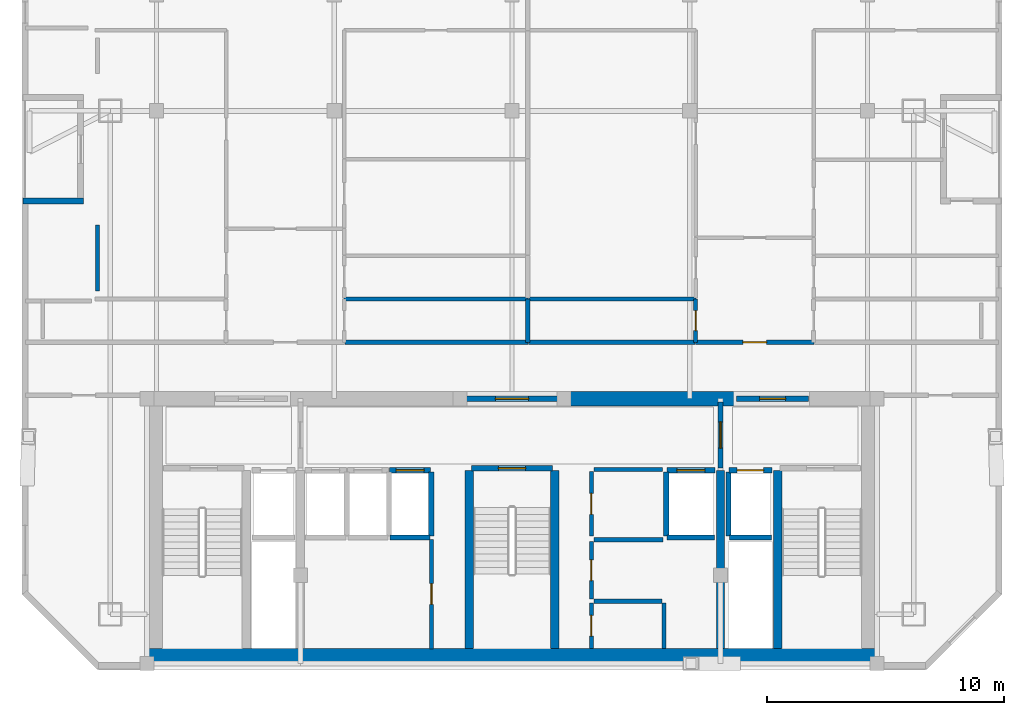
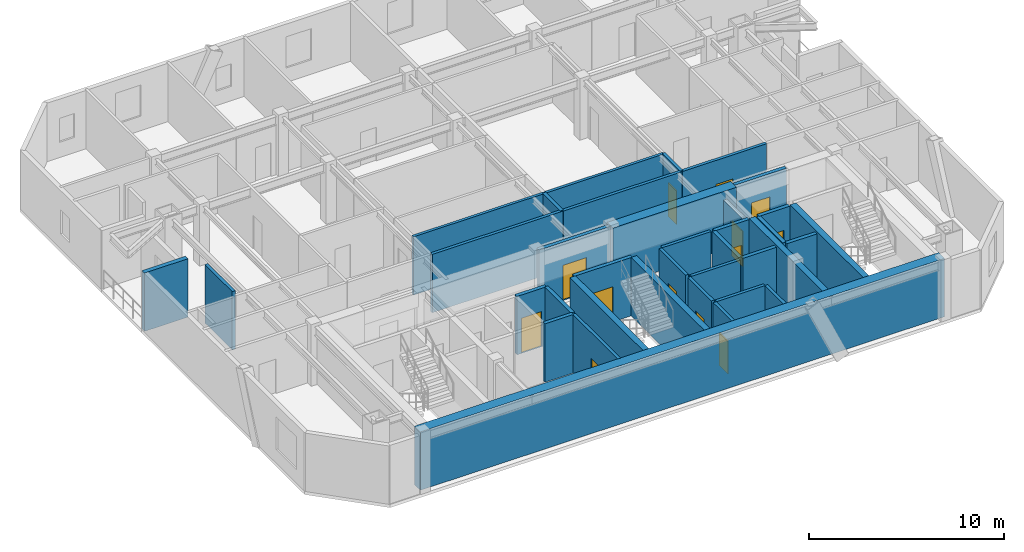
# One storey, part 3 of 7: 36 walls, 13 doors, 13 openings.
"""IFC4 building model written with IfcOpenShell, lengths in metres."""

from ifc_helpers import new_model, si_unit, direction, frame, frame_2d, origin, place, context, subcontext, project, spatial, rectangle, extrude, material, layer, layer_set, type_object, element, fill, save


model = new_model("IFC4")

# Units and contexts
model_context = context("Model", 3, precision=1e-05, world=origin(), true_north=direction((0.0, 1.0)))
body_context = subcontext(model_context, "Body", "Model", "MODEL_VIEW")
ifc_project = project(units=[si_unit("LENGTHUNIT", "METRE"), si_unit("AREAUNIT", "SQUARE_METRE"), si_unit("VOLUMEUNIT", "CUBIC_METRE"), si_unit("PLANEANGLEUNIT", "RADIAN"), si_unit("MASSUNIT", "GRAM", prefix="KILO")], contexts=[model_context])

# Site, building, storey
site_placement = place(None, origin())
site = spatial("IfcSite", under=ifc_project, at=site_placement, CompositionType="ELEMENT")
building_placement = place(site_placement, origin())
building = spatial("IfcBuilding", under=site, at=building_placement, Name="Ventersveld Concourse Tower", CompositionType="ELEMENT")
storey_placement = place(building_placement, frame((0.0, 0.0, 264.449951171875)))
storey = spatial("IfcBuildingStorey", under=building, at=storey_placement, Name="L65", CompositionType="ELEMENT", Elevation=264.449951171875)

# Walls
ifc_material_1 = material(Name="Concrete C50/60", Category="concrete")
ifc_layer_1 = layer(ifc_material_1, 0.35009765625)
ifc_layer_set_1 = layer_set([ifc_layer_1], Name="Concrete C50/60")
wall_type_1 = type_object("IfcWallType", Name="WL-CORE-350U", PredefinedType="SHEAR", material=ifc_layer_set_1)
for number, where, z_axis, x_axis, name in (
    (1, (26.93994140625, 0.919921875, 0.0), (0.0, 0.0, 1.0), (0.0, 1.0, 0.0), "L65 Core Internal Shear Web W-ST3-W"),
    (2, (30.56005859375, 0.919921875, 0.0), (0.0, 0.0, 1.0), (0.0, 1.0, 0.0), "L65 Core Internal Shear Web W-ST3-E"),
    (3, (37.550048828125, 0.919921875, 0.0), (0.0, 0.0, 1.0), (0.0, 1.0, 0.0), "L65 Core Internal Shear Web W-SVL-W"),
    (4, (39.9599609375, 0.919921875, 0.0), (0.0, 0.0, 1.0), (0.0, 1.0, 0.0), "L65 Core Internal Shear Web W-ST2-W"),
):
    element("IfcWall", number, at=place(storey_placement, frame(where, z_axis=z_axis, x_axis=x_axis)), inside=storey, type_object=wall_type_1, Name=name, PredefinedType="SHEAR", context=body_context, shape_type="SweptSolid", body=[
        extrude(rectangle(XDim=7.5, YDim=0.35009765625, at=frame_2d((3.75, 0.0))), origin(), (0.0, 0.0, 1.0), 3.650146484375),
    ])
ifc_layer_2 = layer(ifc_material_1, 0.60009765625)
ifc_layer_set_2 = layer_set([ifc_layer_2], Name="Concrete C50/60")
wall_type_2 = type_object("IfcWallType", Name="WL-CORE-600", PredefinedType="SHEAR", material=ifc_layer_set_2)
wall_1_placement = place(storey_placement, frame((13.25, 0.6201171875, 0.0), z_axis=(0.0, 0.0, 1.0), x_axis=(1.0, 0.0, 0.0)))
element("IfcWall", 5, at=wall_1_placement, inside=storey, type_object=wall_type_2, Name="L65 Rear Core South Shear Wall", PredefinedType="SHEAR", context=body_context, shape_type="SweptSolid", body=[
    extrude(rectangle(XDim=31.0, YDim=0.60009765625, at=frame_2d((15.5, 0.0))), origin(), (0.0, 0.0, 1.0), 3.650146484375),
])
wall_2_placement = place(storey_placement, frame((30.89990234375, 11.449951171875, 0.0), z_axis=(0.0, 0.0, 1.0), x_axis=(1.0, 0.0, 0.0)))
element("IfcWall", 6, at=wall_2_placement, inside=storey, type_object=wall_type_2, Name="L65 Rear Core North Shear Wall NMR", PredefinedType="SHEAR", context=body_context, shape_type="SweptSolid", body=[
    extrude(rectangle(XDim=7.300048828125, YDim=0.60009765625, at=frame_2d((3.64990234375, 0.0))), origin(), (0.0, 0.0, 1.0), 3.650146484375),
])

# Wall, opening, door
ifc_material_2 = material(Name="Fire-rated autoclaved aerated masonry blockwork", Category="masonry")
ifc_layer_3 = layer(ifc_material_2, 0.179931640625)
ifc_layer_set_3 = layer_set([ifc_layer_3], Name="Fire-rated autoclaved aerated masonry blockwork")
wall_type_3 = type_object("IfcWallType", Name="WL-CORR-180", PredefinedType="PARTITIONING", material=ifc_layer_set_3)
wall_3_placement = place(storey_placement, frame((25.35009765625, 0.89990234375, 0.0), z_axis=(0.0, 0.0, 1.0), x_axis=(0.0, 1.0, 0.0)))
wall_3 = element("IfcWall", 7, at=wall_3_placement, inside=storey, type_object=wall_type_3, Name="L65 Core Passage Wall SP-L65-RECB1A", PredefinedType="PARTITIONING", context=body_context, shape_type="SweptSolid", body=[
    extrude(rectangle(XDim=4.6201171875, YDim=0.179931640625, at=frame_2d((2.31005859375, 0.0))), origin(), (0.0, 0.0, 1.0), 3.650146484375),
])
opening_1_placement = place(wall_3_placement, frame((1.8701171875, 0.0, 0.0)))
opening_1 = element("IfcOpeningElement", 8, at=opening_1_placement, cuts=wall_3, Name="Opening FD5", PredefinedType="OPENING", context=body_context, shape_type="SweptSolid", body=[
    extrude(rectangle(XDim=0.8798828125, YDim=2.050048828125, at=frame_2d((0.43994140625, 1.02490234375))), frame((0.0, 0.10009765625, 0.0), z_axis=(0.0, -1.0, 0.0), x_axis=(1.0, 0.0, 0.0)), (0.0, 0.0, 1.0), 0.199951171875),
])
ifc_material_3 = material(Name="Galvanised painted steel", Category="steel")
door_type_1 = type_object("IfcDoorType", Name="DR-RISER-088", OperationType="NOTDEFINED", PredefinedType="DOOR", material=ifc_material_3)
door_1_placement = place(opening_1_placement, origin())
door_1 = element("IfcDoor", 9, at=door_1_placement, inside=storey, type_object=door_type_1, Name="L65 Core Room Door L65 Reclaimed Core Meeting Pod (CD-L65-3058)", OperationType="SINGLE_SWING_LEFT", OverallHeight=2.050048828125, OverallWidth=0.8798828125, PredefinedType="DOOR", context=body_context, shape_type="SweptSolid", body=[
    extrude(rectangle(XDim=0.8798828125, YDim=2.050048828125, at=frame_2d((0.43994140625, 1.02490234375))), frame((0.0, 0.02490234375, 0.0), z_axis=(0.0, -1.0, 0.0), x_axis=(1.0, 0.0, 0.0)), (0.0, 0.0, 1.0), 0.050048828125),
])
fill(opening_1, door_1)

wall_4_placement = place(storey_placement, frame((32.10009765625, 0.919921875, 0.0), z_axis=(0.0, 0.0, 1.0), x_axis=(0.0, 1.0, 0.0)))
wall_4 = element("IfcWall", 10, at=wall_4_placement, inside=storey, type_object=wall_type_3, Name="L65 Core Passage Wall SP-L65-RECB2S", PredefinedType="PARTITIONING", context=body_context, shape_type="SweptSolid", body=[
    extrude(rectangle(XDim=1.900146484375, YDim=0.179931640625, at=frame_2d((0.9501953125, 0.0))), origin(), (0.0, 0.0, 1.0), 3.650146484375),
])
opening_2_placement = place(wall_4_placement, frame((0.510009765625, 0.0, 0.0)))
opening_2 = element("IfcOpeningElement", 11, at=opening_2_placement, cuts=wall_4, Name="Opening FD5", PredefinedType="OPENING", context=body_context, shape_type="SweptSolid", body=[
    extrude(rectangle(XDim=0.8798828125, YDim=2.050048828125, at=frame_2d((0.43994140625, 1.02490234375))), frame((0.0, 0.10009765625, 0.0), z_axis=(0.0, -1.0, 0.0), x_axis=(1.0, 0.0, 0.0)), (0.0, 0.0, 1.0), 0.199951171875),
])
door_2_placement = place(opening_2_placement, origin())
door_2 = element("IfcDoor", 12, at=door_2_placement, inside=storey, type_object=door_type_1, Name="L65 Core Room Door L65 Reclaimed Core Archive Store (CD-L65-3059)", OperationType="SINGLE_SWING_RIGHT", OverallHeight=2.050048828125, OverallWidth=0.8798828125, PredefinedType="DOOR", context=body_context, shape_type="SweptSolid", body=[
    extrude(rectangle(XDim=0.8798828125, YDim=2.050048828125, at=frame_2d((0.43994140625, 1.02490234375))), frame((0.0, 0.02490234375, 0.0), z_axis=(0.0, -1.0, 0.0), x_axis=(1.0, 0.0, 0.0)), (0.0, 0.0, 1.0), 0.050048828125),
])
fill(opening_2, door_2)

# Walls
wall_5_placement = place(storey_placement, frame((32.219970703125, 2.89990234375, 0.0), z_axis=(0.0, 0.0, 1.0), x_axis=(1.0, 0.0, 0.0)))
element("IfcWall", 13, at=wall_5_placement, inside=storey, type_object=wall_type_3, Name="L65 Core Top Wall SP-L65-RECB2S", PredefinedType="PARTITIONING", context=body_context, shape_type="SweptSolid", body=[
    extrude(rectangle(XDim=2.860107421875, YDim=0.179931640625, at=frame_2d((1.43017578125, 0.0))), origin(), (0.0, 0.0, 1.0), 3.650146484375),
])
wall_6_placement = place(storey_placement, frame((35.159912109375, 0.919921875, 0.0), z_axis=(0.0, 0.0, 1.0), x_axis=(0.0, 1.0, 0.0)))
element("IfcWall", 14, at=wall_6_placement, inside=storey, type_object=wall_type_3, Name="L65 Core East Wall SP-L65-RECB2S", PredefinedType="PARTITIONING", context=body_context, shape_type="SweptSolid", body=[
    extrude(rectangle(XDim=1.900146484375, YDim=0.179931640625, at=frame_2d((0.9501953125, 0.0))), origin(), (0.0, 0.0, 1.0), 3.650146484375),
])

# Wall, opening, door
wall_7_placement = place(storey_placement, frame((32.10009765625, 3.0, 0.0), z_axis=(0.0, 0.0, 1.0), x_axis=(0.0, 1.0, 0.0)))
wall_7 = element("IfcWall", 15, at=wall_7_placement, inside=storey, type_object=wall_type_3, Name="L65 Core Passage Wall SP-L65-RECB2N", PredefinedType="PARTITIONING", context=body_context, shape_type="SweptSolid", body=[
    extrude(rectangle(XDim=2.419921875, YDim=0.179931640625, at=frame_2d((1.2099609375, 0.0))), origin(), (0.0, 0.0, 1.0), 3.650146484375),
])
opening_3_placement = place(wall_7_placement, frame((0.77001953125, 0.0, 0.0)))
opening_3 = element("IfcOpeningElement", 16, at=opening_3_placement, cuts=wall_7, Name="Opening FD5", PredefinedType="OPENING", context=body_context, shape_type="SweptSolid", body=[
    extrude(rectangle(XDim=0.8798828125, YDim=2.050048828125, at=frame_2d((0.43994140625, 1.02490234375))), frame((0.0, 0.10009765625, 0.0), z_axis=(0.0, -1.0, 0.0), x_axis=(1.0, 0.0, 0.0)), (0.0, 0.0, 1.0), 0.199951171875),
])
door_3_placement = place(opening_3_placement, origin())
door_3 = element("IfcDoor", 17, at=door_3_placement, inside=storey, type_object=door_type_1, Name="L65 Core Room Door L65 Reclaimed Core Housekeeping Room (CD-L65-3060)", OperationType="SINGLE_SWING_LEFT", OverallHeight=2.050048828125, OverallWidth=0.8798828125, PredefinedType="DOOR", context=body_context, shape_type="SweptSolid", body=[
    extrude(rectangle(XDim=0.8798828125, YDim=2.050048828125, at=frame_2d((0.43994140625, 1.02490234375))), frame((0.0, 0.02490234375, 0.0), z_axis=(0.0, -1.0, 0.0), x_axis=(1.0, 0.0, 0.0)), (0.0, 0.0, 1.0), 0.050048828125),
])
fill(opening_3, door_3)

# Wall
wall_8_placement = place(storey_placement, frame((32.219970703125, 5.5, 0.0), z_axis=(0.0, 0.0, 1.0), x_axis=(1.0, 0.0, 0.0)))
element("IfcWall", 18, at=wall_8_placement, inside=storey, type_object=wall_type_3, Name="L65 Core Top Wall SP-L65-RECB2N", PredefinedType="PARTITIONING", context=body_context, shape_type="SweptSolid", body=[
    extrude(rectangle(XDim=2.900146484375, YDim=0.179931640625, at=frame_2d((1.4501953125, 0.0))), origin(), (0.0, 0.0, 1.0), 3.650146484375),
])

# Wall, opening, door
wall_9_placement = place(storey_placement, frame((32.10009765625, 5.64990234375, 0.0), z_axis=(0.0, 0.0, 1.0), x_axis=(0.0, 1.0, 0.0)))
wall_9 = element("IfcWall", 19, at=wall_9_placement, inside=storey, type_object=wall_type_3, Name="L65 Core Passage Wall SP-L65-CBAY1", PredefinedType="PARTITIONING", context=body_context, shape_type="SweptSolid", body=[
    extrude(rectangle(XDim=2.72998046875, YDim=0.179931640625, at=frame_2d((1.364990234375, 0.0))), origin(), (0.0, 0.0, 1.0), 3.650146484375),
])
opening_4_placement = place(wall_9_placement, frame((0.925048828125, 0.0, 0.0)))
opening_4 = element("IfcOpeningElement", 20, at=opening_4_placement, cuts=wall_9, Name="Opening FD5", PredefinedType="OPENING", context=body_context, shape_type="SweptSolid", body=[
    extrude(rectangle(XDim=0.8798828125, YDim=2.050048828125, at=frame_2d((0.43994140625, 1.02490234375))), frame((0.0, 0.10009765625, 0.0), z_axis=(0.0, -1.0, 0.0), x_axis=(1.0, 0.0, 0.0)), (0.0, 0.0, 1.0), 0.199951171875),
])
door_4_placement = place(opening_4_placement, origin())
door_4 = element("IfcDoor", 21, at=door_4_placement, inside=storey, type_object=door_type_1, Name="L65 Core Room Door L65 Core Parcel Store (CD-L65-3061)", OperationType="SINGLE_SWING_RIGHT", OverallHeight=2.050048828125, OverallWidth=0.8798828125, PredefinedType="DOOR", context=body_context, shape_type="SweptSolid", body=[
    extrude(rectangle(XDim=0.8798828125, YDim=2.050048828125, at=frame_2d((0.43994140625, 1.02490234375))), frame((0.0, 0.02490234375, 0.0), z_axis=(0.0, -1.0, 0.0), x_axis=(1.0, 0.0, 0.0)), (0.0, 0.0, 1.0), 0.050048828125),
])
fill(opening_4, door_4)

# Walls
wall_10_placement = place(storey_placement, frame((32.219970703125, 8.4599609375, 0.0), z_axis=(0.0, 0.0, 1.0), x_axis=(1.0, 0.0, 0.0)))
element("IfcWall", 22, at=wall_10_placement, inside=storey, type_object=wall_type_3, Name="L65 Core Top Wall SP-L65-CBAY1", PredefinedType="PARTITIONING", context=body_context, shape_type="SweptSolid", body=[
    extrude(rectangle(XDim=2.880126953125, YDim=0.179931640625, at=frame_2d((1.43994140625, 0.0))), origin(), (0.0, 0.0, 1.0), 3.650146484375),
])
wall_11_placement = place(storey_placement, frame((21.705078125, 13.830078125, 0.0), z_axis=(0.0, 0.0, 1.0), x_axis=(1.0, 0.0, 0.0)))
element("IfcWall", 23, at=wall_11_placement, inside=storey, type_object=wall_type_3, Name="L65 Interior Partition SP-L65-COR-SP-L65-65N1-PWDR1", PredefinedType="PARTITIONING", context=body_context, shape_type="SweptSolid", body=[
    extrude(rectangle(XDim=7.716552734375, YDim=0.179931640625, at=frame_2d((3.8583984375, 0.0))), origin(), (0.0, 0.0, 1.0), 3.650146484375),
])

# Wall, opening, door
wall_12_placement = place(storey_placement, frame((36.494384765625, 13.830078125, 0.0), z_axis=(0.0, 0.0, 1.0), x_axis=(1.0, 0.0, 0.0)))
wall_12 = element("IfcWall", 24, at=wall_12_placement, inside=storey, type_object=wall_type_3, Name="L65 Interior Partition SP-L65-COR-SP-L65-65N2-FOY", PredefinedType="PARTITIONING", context=body_context, shape_type="SweptSolid", body=[
    extrude(rectangle(XDim=4.989990234375, YDim=0.179931640625, at=frame_2d((2.4951171875, 0.0))), origin(), (0.0, 0.0, 1.0), 3.650146484375),
])
opening_5_placement = place(wall_12_placement, frame((1.9951171875, 0.0, 0.0)))
opening_5 = element("IfcOpeningElement", 25, at=opening_5_placement, cuts=wall_12, Name="Opening FD3", PredefinedType="OPENING", context=body_context, shape_type="SweptSolid", body=[
    extrude(rectangle(XDim=1.0, YDim=2.14990234375, at=frame_2d((0.5, 1.074951171875))), frame((0.0, 0.10009765625, 0.0), z_axis=(0.0, -1.0, 0.0), x_axis=(1.0, 0.0, 0.0)), (0.0, 0.0, 1.0), 0.199951171875),
])
ifc_material_4 = material(Name="Solid-core hardwood veneer timber", Category="wood")
door_type_2 = type_object("IfcDoorType", Name="DR-FLAT-100", OperationType="NOTDEFINED", PredefinedType="DOOR", material=ifc_material_4)
door_5_placement = place(opening_5_placement, origin())
door_5 = element("IfcDoor", 26, at=door_5_placement, inside=storey, type_object=door_type_2, Name="L65 Interior Door SP-L65-COR to SP-L65-65N2-FOY (FD-L65-3065)", OperationType="SINGLE_SWING_LEFT", OverallHeight=2.14990234375, OverallWidth=1.0, PredefinedType="DOOR", context=body_context, shape_type="SweptSolid", body=[
    extrude(rectangle(XDim=1.0, YDim=2.14990234375, at=frame_2d((0.5, 1.074951171875))), frame((0.0, 0.02490234375, 0.0), z_axis=(0.0, -1.0, 0.0), x_axis=(1.0, 0.0, 0.0)), (0.0, 0.0, 1.0), 0.050048828125),
])
fill(opening_5, door_5)

# Walls
wall_13_placement = place(storey_placement, frame((29.45166015625, 13.830078125, 0.0), z_axis=(0.0, 0.0, 1.0), x_axis=(1.0, 0.0, 0.0)))
element("IfcWall", 27, at=wall_13_placement, inside=storey, type_object=wall_type_3, Name="L65 Interior Partition SP-L65-COR-SP-L65-65N2-BATH", PredefinedType="PARTITIONING", context=body_context, shape_type="SweptSolid", body=[
    extrude(rectangle(XDim=7.0126953125, YDim=0.179931640625, at=frame_2d((3.50634765625, 0.0))), origin(), (0.0, 0.0, 1.0), 3.650146484375),
])
wall_14_placement = place(storey_placement, frame((11.2587890625, 15.985107421875, 0.0), z_axis=(0.0, 0.0, 1.0), x_axis=(0.0, 1.0, 0.0)))
element("IfcWall", 28, at=wall_14_placement, inside=storey, type_object=wall_type_3, Name="L65 Room Enclosure Wall SP-L65-65N1-MEDL0", PredefinedType="PARTITIONING", context=body_context, shape_type="SweptSolid", body=[
    extrude(rectangle(XDim=2.800537109375, YDim=0.179931640625, at=frame_2d((1.400390625, 0.0))), origin(), (0.0, 0.0, 1.0), 3.650146484375),
])
ifc_layer_4 = layer(ifc_material_2, 0.199951171875)
ifc_layer_set_4 = layer_set([ifc_layer_4], Name="Fire-rated autoclaved aerated masonry blockwork")
wall_type_4 = type_object("IfcWallType", Name="WL-DEMISE-200", PredefinedType="PARTITIONING", material=ifc_layer_set_4)
wall_15_placement = place(storey_placement, frame((29.41650390625, 13.824951171875, 0.0), z_axis=(0.0, 0.0, 1.0), x_axis=(0.0, 1.0, 0.0)))
element("IfcWall", 29, at=wall_15_placement, inside=storey, type_object=wall_type_4, Name="L65 Interior Partition SP-L65-65N1-PWDR1-SP-L65-65N2-BATH", PredefinedType="PARTITIONING", context=body_context, shape_type="SweptSolid", body=[
    extrude(rectangle(XDim=1.840087890625, YDim=0.199951171875, at=frame_2d((0.919921875, 0.0))), origin(), (0.0, 0.0, 1.0), 3.650146484375),
])
ifc_layer_5 = layer(ifc_material_2, 0.219970703125)
ifc_layer_set_5 = layer_set([ifc_layer_5], Name="Fire-rated autoclaved aerated masonry blockwork")
wall_type_5 = type_object("IfcWallType", Name="WL-HOIST-220", PredefinedType="SOLIDWALL", material=ifc_layer_set_5)
wall_16_placement = place(storey_placement, frame((37.919921875, 5.590087890625, 0.0), z_axis=(0.0, 0.0, 1.0), x_axis=(1.0, 0.0, 0.0)))
element("IfcWall", 30, at=wall_16_placement, inside=storey, type_object=wall_type_5, Name="L65 Lift Hoistway Back Wall FFL-02", PredefinedType="SOLIDWALL", context=body_context, shape_type="SweptSolid", body=[
    extrude(rectangle(XDim=1.780029296875, YDim=0.219970703125, at=frame_2d((0.89013671875, 0.0))), origin(), (0.0, 0.0, 1.0), 3.650146484375),
])
wall_17_placement = place(storey_placement, frame((37.8798828125, 5.64990234375, 0.0), z_axis=(0.0, 0.0, 1.0), x_axis=(0.0, 1.0, 0.0)))
element("IfcWall", 31, at=wall_17_placement, inside=storey, type_object=wall_type_5, Name="L65 Lift Hoistway Side Wall FFL-02W", PredefinedType="SOLIDWALL", context=body_context, shape_type="SweptSolid", body=[
    extrude(rectangle(XDim=2.7001953125, YDim=0.219970703125, at=frame_2d((1.35009765625, 0.0))), origin(), (0.0, 0.0, 1.0), 3.650146484375),
])

# Wall, opening, door
wall_18_placement = place(storey_placement, frame((37.89990234375, 8.429931640625, 0.0), z_axis=(0.0, 0.0, 1.0), x_axis=(1.0, 0.0, 0.0)))
wall_18 = element("IfcWall", 32, at=wall_18_placement, inside=storey, type_object=wall_type_5, Name="L65 Lift Hoistway Front Wall FFL-02", PredefinedType="SOLIDWALL", context=body_context, shape_type="SweptSolid", body=[
    extrude(rectangle(XDim=1.820068359375, YDim=0.219970703125, at=frame_2d((0.91015625, 0.0))), origin(), (0.0, 0.0, 1.0), 3.650146484375),
])
opening_6_placement = place(wall_18_placement, frame((0.35009765625, 0.0, 0.0)))
opening_6 = element("IfcOpeningElement", 33, at=opening_6_placement, cuts=wall_18, Name="Opening LD1", PredefinedType="OPENING", context=body_context, shape_type="SweptSolid", body=[
    extrude(rectangle(XDim=1.1201171875, YDim=2.25, at=frame_2d((0.56005859375, 1.125))), frame((0.0, 0.1201171875, 0.0), z_axis=(0.0, -1.0, 0.0), x_axis=(1.0, 0.0, 0.0)), (0.0, 0.0, 1.0), 0.239990234375),
])
ifc_material_5 = material(Name="Brushed stainless steel 316", Category="steel")
door_type_3 = type_object("IfcDoorType", Name="LD-FF-112", OperationType="SLIDING_TO_LEFT", PredefinedType="DOOR", material=ifc_material_5)
door_6_placement = place(opening_6_placement, origin())
door_6 = element("IfcDoor", 34, at=door_6_placement, inside=storey, type_object=door_type_3, Name="L65 Lift landing door FFL-02 (LD-L65-FFL-02)", OperationType="SLIDING_TO_LEFT", OverallHeight=2.25, OverallWidth=1.1201171875, PredefinedType="DOOR", context=body_context, shape_type="SweptSolid", body=[
    extrude(rectangle(XDim=1.1201171875, YDim=2.25, at=frame_2d((0.56005859375, 1.125))), frame((0.0, 0.02490234375, 0.0), z_axis=(0.0, -1.0, 0.0), x_axis=(1.0, 0.0, 0.0)), (0.0, 0.0, 1.0), 0.050048828125),
])
fill(opening_6, door_6)

# Walls
wall_19_placement = place(storey_placement, frame((35.300048828125, 5.590087890625, 0.0), z_axis=(0.0, 0.0, 1.0), x_axis=(1.0, 0.0, 0.0)))
element("IfcWall", 35, at=wall_19_placement, inside=storey, type_object=wall_type_5, Name="L65 Lift Hoistway Back Wall SVL-01", PredefinedType="SOLIDWALL", context=body_context, shape_type="SweptSolid", body=[
    extrude(rectangle(XDim=2.0, YDim=0.219970703125, at=frame_2d((1.0, 0.0))), origin(), (0.0, 0.0, 1.0), 3.650146484375),
])
wall_20_placement = place(storey_placement, frame((35.260009765625, 5.64990234375, 0.0), z_axis=(0.0, 0.0, 1.0), x_axis=(0.0, 1.0, 0.0)))
element("IfcWall", 36, at=wall_20_placement, inside=storey, type_object=wall_type_5, Name="L65 Lift Hoistway Side Wall SVL-01W", PredefinedType="SOLIDWALL", context=body_context, shape_type="SweptSolid", body=[
    extrude(rectangle(XDim=2.7001953125, YDim=0.219970703125, at=frame_2d((1.35009765625, 0.0))), origin(), (0.0, 0.0, 1.0), 3.650146484375),
])

# Wall, opening, door
wall_21_placement = place(storey_placement, frame((35.280029296875, 8.429931640625, 0.0), z_axis=(0.0, 0.0, 1.0), x_axis=(1.0, 0.0, 0.0)))
wall_21 = element("IfcWall", 37, at=wall_21_placement, inside=storey, type_object=wall_type_5, Name="L65 Lift Hoistway Front Wall SVL-01", PredefinedType="SOLIDWALL", context=body_context, shape_type="SweptSolid", body=[
    extrude(rectangle(XDim=2.0400390625, YDim=0.219970703125, at=frame_2d((1.02001953125, 0.0))), origin(), (0.0, 0.0, 1.0), 3.650146484375),
])
opening_7_placement = place(wall_21_placement, frame((0.429931640625, 0.0, 0.0)))
opening_7 = element("IfcOpeningElement", 38, at=opening_7_placement, cuts=wall_21, Name="Opening LD2", PredefinedType="OPENING", context=body_context, shape_type="SweptSolid", body=[
    extrude(rectangle(XDim=1.179931640625, YDim=2.199951171875, at=frame_2d((0.58984375, 1.10009765625))), frame((0.0, 0.1201171875, 0.0), z_axis=(0.0, -1.0, 0.0), x_axis=(1.0, 0.0, 0.0)), (0.0, 0.0, 1.0), 0.239990234375),
])
door_type_4 = type_object("IfcDoorType", Name="LD-PAX-118", OperationType="SLIDING_TO_LEFT", PredefinedType="DOOR", material=ifc_material_5)
door_7_placement = place(opening_7_placement, origin())
door_7 = element("IfcDoor", 39, at=door_7_placement, inside=storey, type_object=door_type_4, Name="L65 Lift landing door SVL-01 (LD-L65-SVL-01)", OperationType="SLIDING_TO_RIGHT", OverallHeight=2.199951171875, OverallWidth=1.179931640625, PredefinedType="DOOR", context=body_context, shape_type="SweptSolid", body=[
    extrude(rectangle(XDim=1.179931640625, YDim=2.199951171875, at=frame_2d((0.58984375, 1.10009765625))), frame((0.0, 0.02490234375, 0.0), z_axis=(0.0, -1.0, 0.0), x_axis=(1.0, 0.0, 0.0)), (0.0, 0.0, 1.0), 0.050048828125),
])
fill(opening_7, door_7)

# Walls
wall_22_placement = place(storey_placement, frame((23.60009765625, 5.590087890625, 0.0), z_axis=(0.0, 0.0, 1.0), x_axis=(1.0, 0.0, 0.0)))
element("IfcWall", 40, at=wall_22_placement, inside=storey, type_object=wall_type_5, Name="L65 Lift Hoistway Back Wall PH-03", PredefinedType="SOLIDWALL", context=body_context, shape_type="SweptSolid", body=[
    extrude(rectangle(XDim=1.699951171875, YDim=0.219970703125, at=frame_2d((0.85009765625, 0.0))), origin(), (0.0, 0.0, 1.0), 3.650146484375),
])
wall_23_placement = place(storey_placement, frame((25.340087890625, 5.64990234375, 0.0), z_axis=(0.0, 0.0, 1.0), x_axis=(0.0, 1.0, 0.0)))
element("IfcWall", 41, at=wall_23_placement, inside=storey, type_object=wall_type_5, Name="L65 Lift Hoistway Side Wall PH-03E", PredefinedType="SOLIDWALL", context=body_context, shape_type="SweptSolid", body=[
    extrude(rectangle(XDim=2.7001953125, YDim=0.219970703125, at=frame_2d((1.35009765625, 0.0))), origin(), (0.0, 0.0, 1.0), 3.650146484375),
])

# Wall, opening, door
wall_24_placement = place(storey_placement, frame((23.580078125, 8.429931640625, 0.0), z_axis=(0.0, 0.0, 1.0), x_axis=(1.0, 0.0, 0.0)))
wall_24 = element("IfcWall", 42, at=wall_24_placement, inside=storey, type_object=wall_type_5, Name="L65 Lift Hoistway Front Wall PH-03", PredefinedType="SOLIDWALL", context=body_context, shape_type="SweptSolid", body=[
    extrude(rectangle(XDim=1.739990234375, YDim=0.219970703125, at=frame_2d((0.8701171875, 0.0))), origin(), (0.0, 0.0, 1.0), 3.650146484375),
])
opening_8_placement = place(wall_24_placement, frame((0.280029296875, 0.0, 0.0)))
opening_8 = element("IfcOpeningElement", 43, at=opening_8_placement, cuts=wall_24, Name="Opening LD2", PredefinedType="OPENING", context=body_context, shape_type="SweptSolid", body=[
    extrude(rectangle(XDim=1.179931640625, YDim=2.199951171875, at=frame_2d((0.58984375, 1.10009765625))), frame((0.0, 0.1201171875, 0.0), z_axis=(0.0, -1.0, 0.0), x_axis=(1.0, 0.0, 0.0)), (0.0, 0.0, 1.0), 0.239990234375),
])
door_8_placement = place(opening_8_placement, origin())
door_8 = element("IfcDoor", 44, at=door_8_placement, inside=storey, type_object=door_type_4, Name="L65 Lift landing door PH-03 (LD-L65-PH-03)", OperationType="SLIDING_TO_LEFT", OverallHeight=2.199951171875, OverallWidth=1.179931640625, PredefinedType="DOOR", context=body_context, shape_type="SweptSolid", body=[
    extrude(rectangle(XDim=1.179931640625, YDim=2.199951171875, at=frame_2d((0.58984375, 1.10009765625))), frame((0.0, 0.02490234375, 0.0), z_axis=(0.0, -1.0, 0.0), x_axis=(1.0, 0.0, 0.0)), (0.0, 0.0, 1.0), 0.050048828125),
])
fill(opening_8, door_8)

wall_25_placement = place(storey_placement, frame((27.0400390625, 8.52001953125, 0.0), z_axis=(0.0, 0.0, 1.0), x_axis=(1.0, 0.0, 0.0)))
wall_25 = element("IfcWall", 45, at=wall_25_placement, inside=storey, type_object=wall_type_5, Name="L65 Escape Stair ST03 Fire Wall", PredefinedType="SOLIDWALL", context=body_context, shape_type="SweptSolid", body=[
    extrude(rectangle(XDim=3.419921875, YDim=0.219970703125, at=frame_2d((1.7099609375, 0.0))), origin(), (0.0, 0.0, 1.0), 3.650146484375),
])
opening_9_placement = place(wall_25_placement, frame((1.135009765625, 0.0, 0.0)))
opening_9 = element("IfcOpeningElement", 46, at=opening_9_placement, cuts=wall_25, Name="Opening FD1", PredefinedType="OPENING", context=body_context, shape_type="SweptSolid", body=[
    extrude(rectangle(XDim=1.14990234375, YDim=2.199951171875, at=frame_2d((0.574951171875, 1.10009765625))), frame((0.0, 0.1201171875, 0.0), z_axis=(0.0, -1.0, 0.0), x_axis=(1.0, 0.0, 0.0)), (0.0, 0.0, 1.0), 0.239990234375),
])
door_type_5 = type_object("IfcDoorType", Name="DR-STAIR-115", OperationType="NOTDEFINED", PredefinedType="DOOR", material=ifc_material_3)
door_9_placement = place(opening_9_placement, origin())
door_9 = element("IfcDoor", 47, at=door_9_placement, inside=storey, type_object=door_type_5, Name="L65 Escape Stair Door ST03 (SD-L65-3052)", OperationType="SINGLE_SWING_LEFT", OverallHeight=2.199951171875, OverallWidth=1.14990234375, PredefinedType="DOOR", context=body_context, shape_type="SweptSolid", body=[
    extrude(rectangle(XDim=1.14990234375, YDim=2.199951171875, at=frame_2d((0.574951171875, 1.10009765625))), frame((0.0, 0.02490234375, 0.0), z_axis=(0.0, -1.0, 0.0), x_axis=(1.0, 0.0, 0.0)), (0.0, 0.0, 1.0), 0.050048828125),
])
fill(opening_9, door_9)

wall_26_placement = place(storey_placement, frame((37.550048828125, 8.52001953125, 0.0), z_axis=(0.0, 0.0, 1.0), x_axis=(0.0, 1.0, 0.0)))
wall_26 = element("IfcWall", 48, at=wall_26_placement, inside=storey, type_object=wall_type_5, Name="L65 Firefighting Lobby Smoke-Stop Wall FFLE-SEP", PredefinedType="SOLIDWALL", context=body_context, shape_type="SweptSolid", body=[
    extrude(rectangle(XDim=2.800048828125, YDim=0.219970703125, at=frame_2d((1.39990234375, 0.0))), origin(), (0.0, 0.0, 1.0), 3.10546875),
])
opening_10_placement = place(wall_26_placement, frame((0.85009765625, 0.0, 0.0)))
opening_10 = element("IfcOpeningElement", 49, at=opening_10_placement, cuts=wall_26, Name="Opening FD2", PredefinedType="OPENING", context=body_context, shape_type="SweptSolid", body=[
    extrude(rectangle(XDim=1.10009765625, YDim=2.199951171875, at=frame_2d((0.550048828125, 1.10009765625))), frame((0.0, 0.1201171875, 0.0), z_axis=(0.0, -1.0, 0.0), x_axis=(1.0, 0.0, 0.0)), (0.0, 0.0, 1.0), 0.239990234375),
])
door_type_6 = type_object("IfcDoorType", Name="DR-FFL-110", OperationType="NOTDEFINED", PredefinedType="DOOR", material=ifc_material_3)
door_10_placement = place(opening_10_placement, origin())
door_10 = element("IfcDoor", 50, at=door_10_placement, inside=storey, type_object=door_type_6, Name="L65 Firefighting Lobby Door FFLE-SEP (FD-L65-3054)", OperationType="SINGLE_SWING_RIGHT", OverallHeight=2.199951171875, OverallWidth=1.10009765625, PredefinedType="DOOR", context=body_context, shape_type="SweptSolid", body=[
    extrude(rectangle(XDim=1.10009765625, YDim=2.199951171875, at=frame_2d((0.550048828125, 1.10009765625))), frame((0.0, 0.02490234375, 0.0), z_axis=(0.0, -1.0, 0.0), x_axis=(1.0, 0.0, 0.0)), (0.0, 0.0, 1.0), 0.050048828125),
])
fill(opening_10, door_10)

wall_27_placement = place(storey_placement, frame((26.6298828125, 11.449951171875, 0.0), z_axis=(0.0, 0.0, 1.0), x_axis=(1.0, 0.0, 0.0)))
wall_27 = element("IfcWall", 51, at=wall_27_placement, inside=storey, type_object=wall_type_5, Name="L65 Core North Fire Portal PLOB-OUT", PredefinedType="SOLIDWALL", context=body_context, shape_type="SweptSolid", body=[
    extrude(rectangle(XDim=4.240234375, YDim=0.219970703125, at=frame_2d((2.1201171875, 0.0))), origin(), (0.0, 0.0, 1.0), 3.650146484375),
])
opening_11_placement = place(wall_27_placement, frame((1.419921875, 0.0, 0.0)))
opening_11 = element("IfcOpeningElement", 52, at=opening_11_placement, cuts=wall_27, Name="Opening FD4", PredefinedType="OPENING", context=body_context, shape_type="SweptSolid", body=[
    extrude(rectangle(XDim=1.39990234375, YDim=2.199951171875, at=frame_2d((0.699951171875, 1.10009765625))), frame((0.0, 0.1201171875, 0.0), z_axis=(0.0, -1.0, 0.0), x_axis=(1.0, 0.0, 0.0)), (0.0, 0.0, 1.0), 0.239990234375),
])
door_type_7 = type_object("IfcDoorType", Name="DR-PLANT-140", OperationType="DOUBLE_DOOR_SINGLE_SWING", PredefinedType="DOOR", material=ifc_material_3)
door_11_placement = place(opening_11_placement, origin())
door_11 = element("IfcDoor", 53, at=door_11_placement, inside=storey, type_object=door_type_7, Name="L65 Core Lobby Fire Door PLOB-OUT (FD-L65-3056)", OperationType="DOUBLE_DOOR_SINGLE_SWING", OverallHeight=2.199951171875, OverallWidth=1.39990234375, PredefinedType="DOOR", context=body_context, shape_type="SweptSolid", body=[
    extrude(rectangle(XDim=1.39990234375, YDim=2.199951171875, at=frame_2d((0.699951171875, 1.10009765625))), frame((0.0, 0.02490234375, 0.0), z_axis=(0.0, -1.0, 0.0), x_axis=(1.0, 0.0, 0.0)), (0.0, 0.0, 1.0), 0.050048828125),
])
fill(opening_11, door_11)

wall_28_placement = place(storey_placement, frame((38.22998046875, 11.449951171875, 0.0), z_axis=(0.0, 0.0, 1.0), x_axis=(1.0, 0.0, 0.0)))
wall_28 = element("IfcWall", 54, at=wall_28_placement, inside=storey, type_object=wall_type_5, Name="L65 Core North Fire Portal FFLE-OUT", PredefinedType="SOLIDWALL", context=body_context, shape_type="SweptSolid", body=[
    extrude(rectangle(XDim=3.0400390625, YDim=0.219970703125, at=frame_2d((1.52001953125, 0.0))), origin(), (0.0, 0.0, 1.0), 3.650146484375),
])
opening_12_placement = place(wall_28_placement, frame((0.969970703125, 0.0, 0.0)))
opening_12 = element("IfcOpeningElement", 55, at=opening_12_placement, cuts=wall_28, Name="Opening FD2", PredefinedType="OPENING", context=body_context, shape_type="SweptSolid", body=[
    extrude(rectangle(XDim=1.10009765625, YDim=2.199951171875, at=frame_2d((0.550048828125, 1.10009765625))), frame((0.0, 0.1201171875, 0.0), z_axis=(0.0, -1.0, 0.0), x_axis=(1.0, 0.0, 0.0)), (0.0, 0.0, 1.0), 0.239990234375),
])
door_12_placement = place(opening_12_placement, origin())
door_12 = element("IfcDoor", 56, at=door_12_placement, inside=storey, type_object=door_type_6, Name="L65 Core Lobby Fire Door FFLE-OUT (FD-L65-3057)", OperationType="SINGLE_SWING_LEFT", OverallHeight=2.199951171875, OverallWidth=1.10009765625, PredefinedType="DOOR", context=body_context, shape_type="SweptSolid", body=[
    extrude(rectangle(XDim=1.10009765625, YDim=2.199951171875, at=frame_2d((0.550048828125, 1.10009765625))), frame((0.0, 0.02490234375, 0.0), z_axis=(0.0, -1.0, 0.0), x_axis=(1.0, 0.0, 0.0)), (0.0, 0.0, 1.0), 0.050048828125),
])
fill(opening_12, door_12)

# Walls
ifc_material_6 = material(Name="Precast concrete C45/55", Category="concrete")
ifc_layer_6 = layer(ifc_material_6, 0.260009765625)
ifc_layer_set_6 = layer_set([ifc_layer_6], Name="Precast concrete C45/55")
wall_type_6 = type_object("IfcWallType", Name="WL-PREC-260", PredefinedType="SOLIDWALL", material=ifc_layer_set_6)
wall_29_placement = place(storey_placement, frame((10.6787109375, 19.797607421875, 0.0), z_axis=(0.0, 0.0, 1.0), x_axis=(-1.0, 0.0, 0.0)))
element("IfcWall", 57, at=wall_29_placement, inside=storey, type_object=wall_type_6, Name="L65 Highveld Precast Facade Wall E14", PredefinedType="SOLIDWALL", context=body_context, shape_type="SweptSolid", body=[
    extrude(rectangle(XDim=2.56982421875, YDim=0.260009765625, at=frame_2d((1.284912109375, 0.0))), origin(), (0.0, 0.0, 1.0), 3.650146484375),
])
ifc_material_7 = material(Name="Autoclaved aerated masonry blockwork", Category="masonry")
ifc_layer_7 = layer(ifc_material_7, 0.1650390625)
ifc_layer_set_7 = layer_set([ifc_layer_7], Name="Autoclaved aerated masonry blockwork")
wall_type_7 = type_object("IfcWallType", Name="WL-WET-165", PredefinedType="PLUMBINGWALL", material=ifc_layer_set_7)
wall_30_placement = place(storey_placement, frame((21.6650390625, 15.659912109375, 0.0), z_axis=(0.0, 0.0, 1.0), x_axis=(1.0, 0.0, 0.0)))
element("IfcWall", 58, at=wall_30_placement, inside=storey, type_object=wall_type_7, Name="L65 Interior Partition SP-L65-65N1-PWDR1-SP-L65-65N1-KIT", PredefinedType="PLUMBINGWALL", context=body_context, shape_type="SweptSolid", body=[
    extrude(rectangle(XDim=7.756591796875, YDim=0.1650390625, at=frame_2d((3.87841796875, 0.0))), origin(), (0.0, 0.0, 1.0), 3.650146484375),
])

# Wall, opening, door
wall_31_placement = place(storey_placement, frame((36.499267578125, 13.824951171875, 0.0), z_axis=(0.0, 0.0, 1.0), x_axis=(0.0, 1.0, 0.0)))
wall_31 = element("IfcWall", 59, at=wall_31_placement, inside=storey, type_object=wall_type_7, Name="L65 Interior Partition SP-L65-65N2-FOY-SP-L65-65N2-BATH", PredefinedType="PLUMBINGWALL", context=body_context, shape_type="SweptSolid", body=[
    extrude(rectangle(XDim=1.840087890625, YDim=0.1650390625, at=frame_2d((0.919921875, 0.0))), origin(), (0.0, 0.0, 1.0), 3.650146484375),
])
opening_13_placement = place(wall_31_placement, frame((0.4951171875, 0.0, 0.0)))
opening_13 = element("IfcOpeningElement", 60, at=opening_13_placement, cuts=wall_31, Name="Opening ID2", PredefinedType="OPENING", context=body_context, shape_type="SweptSolid", body=[
    extrude(rectangle(XDim=0.85009765625, YDim=2.10009765625, at=frame_2d((0.425048828125, 1.050048828125))), frame((0.0, 0.092529296875, 0.0), z_axis=(0.0, -1.0, 0.0), x_axis=(1.0, 0.0, 0.0)), (0.0, 0.0, 1.0), 0.18505859375),
])
door_type_8 = type_object("IfcDoorType", Name="DR-BATH-085", OperationType="NOTDEFINED", PredefinedType="DOOR", material=ifc_material_4)
door_13_placement = place(opening_13_placement, origin())
door_13 = element("IfcDoor", 61, at=door_13_placement, inside=storey, type_object=door_type_8, Name="L65 Interior Door SP-L65-65N2-FOY to SP-L65-65N2-BATH (D-L65-3079)", OperationType="SINGLE_SWING_LEFT", OverallHeight=2.10009765625, OverallWidth=0.85009765625, PredefinedType="DOOR", context=body_context, shape_type="SweptSolid", body=[
    extrude(rectangle(XDim=0.85009765625, YDim=2.10009765625, at=frame_2d((0.425048828125, 1.050048828125))), frame((0.0, 0.02490234375, 0.0), z_axis=(0.0, -1.0, 0.0), x_axis=(1.0, 0.0, 0.0)), (0.0, 0.0, 1.0), 0.050048828125),
])
fill(opening_13, door_13)

# Wall
wall_32_placement = place(storey_placement, frame((29.45166015625, 15.659912109375, 0.0), z_axis=(0.0, 0.0, 1.0), x_axis=(1.0, 0.0, 0.0)))
element("IfcWall", 62, at=wall_32_placement, inside=storey, type_object=wall_type_7, Name="L65 Interior Partition SP-L65-65N2-BATH-SP-L65-65N2-MEDL0", PredefinedType="PLUMBINGWALL", context=body_context, shape_type="SweptSolid", body=[
    extrude(rectangle(XDim=7.052734375, YDim=0.1650390625, at=frame_2d((3.5263671875, 0.0))), origin(), (0.0, 0.0, 1.0), 3.650146484375),
])

save(model, "model.ifc")
